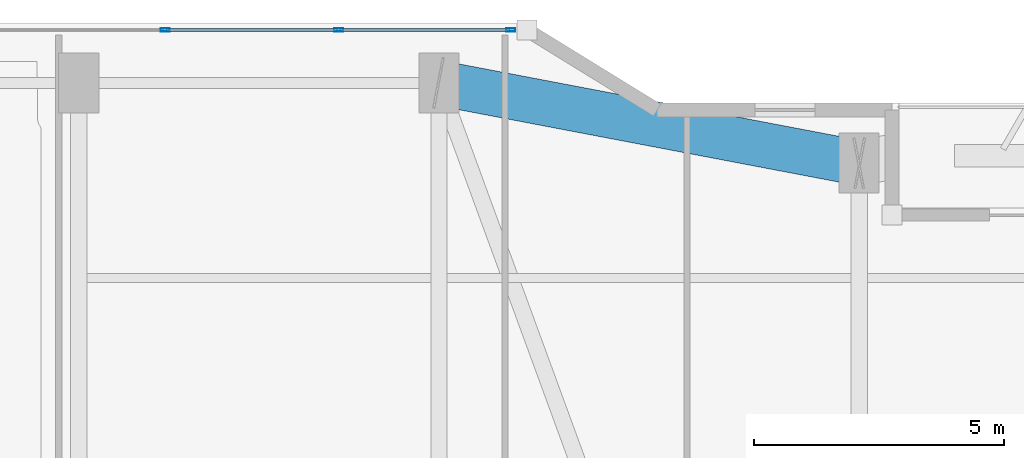
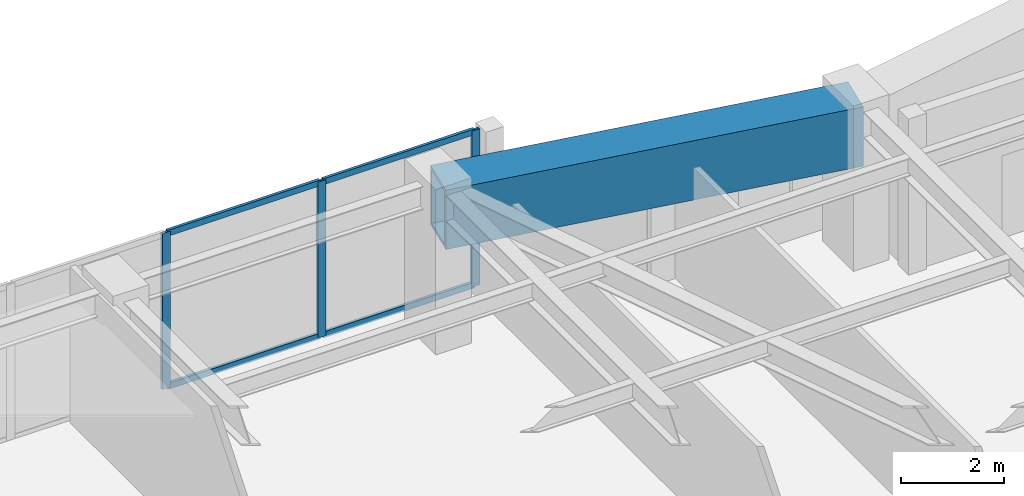
# One storey, part 19 of 30: 7 members, 1 beam, 1 element without a shape of its own.
"""IFC4 building model written with IfcOpenShell, lengths in metres."""

from ifc_helpers import new_model, si_unit, direction, frame, origin, origin_2d, place, context, subcontext, project, spatial, hollow_rectangle, extrude, material, layer, layer_set, material_profile, profile_set, type_object, element, aggregate, save


model = new_model("IFC4")

# Units and contexts
model_context = context("Model", 3, precision=1e-05, world=origin(), true_north=direction((0.0, 1.0)))
body_context = subcontext(model_context, "Body", "Model", "MODEL_VIEW")
ifc_project = project(units=[si_unit("LENGTHUNIT", "METRE"), si_unit("AREAUNIT", "SQUARE_METRE"), si_unit("VOLUMEUNIT", "CUBIC_METRE"), si_unit("PLANEANGLEUNIT", "RADIAN"), si_unit("MASSUNIT", "GRAM", prefix="KILO")], contexts=[model_context])

# Site, building, storey
site_placement = place(None, origin())
site = spatial("IfcSite", under=ifc_project, at=site_placement, CompositionType="ELEMENT")
building_placement = place(site_placement, origin())
building = spatial("IfcBuilding", under=site, at=building_placement, Name="Kiyonajd Concourse Tower", CompositionType="ELEMENT")
storey_placement = place(building_placement, frame((0.0, 0.0, 170.10009765625)))
storey = spatial("IfcBuildingStorey", under=building, at=storey_placement, Name="L43", CompositionType="ELEMENT", Elevation=170.10009765625)

# Beam
ifc_material_1 = material(Name="Steel ASTM A572 Grade 50", Category="steel")
ifc_material_profile_1 = material_profile(ifc_material_1, hollow_rectangle(XDim=0.89990234375, YDim=1.39990234375, WallThickness=0.070068359375, at=origin_2d()), Name="BOX-1400x900x70")
ifc_profile_set_1 = profile_set([ifc_material_profile_1], Name="Steel ASTM A572 Grade 50")
beam_type = type_object("IfcBeamType", Name="BM-XFER-1400", PredefinedType="BEAM", material=ifc_profile_set_1)
beam_placement = place(storey_placement, frame((48.0, 59.60009765625, 2.97998046875), z_axis=(-0.982341315253, 0.187097675953, 0.0), x_axis=(-0.187097675953, -0.982341315253, 0.0)))
element("IfcBeam", 1, at=beam_placement, inside=storey, type_object=beam_type, Name="L43 Perimeter Bundled Tube Spandrel", PredefinedType="BEAM", context=body_context, shape_type="SweptSolid", body=[
    extrude(hollow_rectangle(XDim=0.89990234375, YDim=1.39990234375, WallThickness=0.070068359375, at=origin_2d()), origin(), (0.0, 0.0, 1.0), 8.55078125),
])

# Curtain wall, members
ifc_material_2 = material(Name="Thermally Broken Anodised Aluminium", Category="aluminium")
ifc_layer = layer(ifc_material_2, 0.179931640625)
ifc_layer_set = layer_set([ifc_layer], Name="Thermally Broken Anodised Aluminium")
curtain_wall_type = type_object("IfcCurtainWallType", Name="CW-SYS-03", PredefinedType="NOTDEFINED", material=ifc_layer_set)
curtain_wall_placement = place(storey_placement, origin())
curtain_wall = element("IfcCurtainWall", 2, at=curtain_wall_placement, inside=storey, type_object=curtain_wall_type, Name="L43 Unitised Curtain Wall CW3", PredefinedType="NOTDEFINED")
ifc_material_profile_2 = material_profile(ifc_material_2, hollow_rectangle(XDim=0.06494140625, YDim=0.179931640625, WallThickness=0.00390625, at=origin_2d()), Name="MULL-65x180")
ifc_profile_set_2 = profile_set([ifc_material_profile_2], Name="Thermally Broken Anodised Aluminium")
member_type_1 = type_object("IfcMemberType", Name="MB-CW-MULL1", PredefinedType="MULLION", material=ifc_profile_set_2)
member_1_placement = place(storey_placement, frame((34.12548828125, 62.260009765625, 0.0), z_axis=(0.0, 0.0, 1.0), x_axis=(0.0, 1.0, 0.0)))
member_1 = element("IfcMember", 3, at=member_1_placement, type_object=member_type_1, Name="CW3 mullion 4", PredefinedType="MULLION", context=body_context, shape_type="SweptSolid", body=[
    extrude(hollow_rectangle(XDim=0.06494140625, YDim=0.179931640625, WallThickness=0.00390625, at=origin_2d()), origin(), (0.0, 0.0, 1.0), 3.679931640625),
])
member_2_placement = place(storey_placement, frame((37.597900390625, 62.260009765625, 0.0), z_axis=(0.0, 0.0, 1.0), x_axis=(0.0, 1.0, 0.0)))
member_2 = element("IfcMember", 4, at=member_2_placement, type_object=member_type_1, Name="CW3 mullion 5", PredefinedType="MULLION", context=body_context, shape_type="SweptSolid", body=[
    extrude(hollow_rectangle(XDim=0.06494140625, YDim=0.179931640625, WallThickness=0.00390625, at=origin_2d()), origin(), (0.0, 0.0, 1.0), 3.679931640625),
])
member_3_placement = place(storey_placement, frame((41.037841796875, 62.260009765625, 0.0), z_axis=(0.0, 0.0, 1.0), x_axis=(0.0, 1.0, 0.0)))
member_3 = element("IfcMember", 5, at=member_3_placement, type_object=member_type_1, Name="CW3 mullion 6", PredefinedType="MULLION", context=body_context, shape_type="SweptSolid", body=[
    extrude(hollow_rectangle(XDim=0.06494140625, YDim=0.179931640625, WallThickness=0.00390625, at=origin_2d()), origin(), (0.0, 0.0, 1.0), 3.679931640625),
])
ifc_material_profile_3 = material_profile(ifc_material_2, hollow_rectangle(XDim=0.06494140625, YDim=0.139892578125, WallThickness=0.00390625, at=origin_2d()), Name="TRAN-65x140")
ifc_profile_set_3 = profile_set([ifc_material_profile_3], Name="Thermally Broken Anodised Aluminium")
member_type_2 = type_object("IfcMemberType", Name="MB-CW-TRAN1", PredefinedType="USERDEFINED", material=ifc_profile_set_3)
member_4_placement = place(storey_placement, frame((34.158203125, 62.260009765625, 0.032470703125), z_axis=(1.0, 0.0, 0.0), x_axis=(0.0, 1.0, 0.0)))
member_4 = element("IfcMember", 6, at=member_4_placement, type_object=member_type_2, Name="CW3 transom 4.1", ObjectType="TRANSOM", PredefinedType="USERDEFINED", context=body_context, shape_type="SweptSolid", body=[
    extrude(hollow_rectangle(XDim=0.06494140625, YDim=0.139892578125, WallThickness=0.00390625, at=origin_2d()), origin(), (0.0, 0.0, 1.0), 3.4072265625),
])
member_5_placement = place(storey_placement, frame((34.158203125, 62.260009765625, 3.6474609375), z_axis=(1.0, 0.0, 0.0), x_axis=(0.0, 1.0, 0.0)))
member_5 = element("IfcMember", 7, at=member_5_placement, type_object=member_type_2, Name="CW3 transom 4.2", ObjectType="TRANSOM", PredefinedType="USERDEFINED", context=body_context, shape_type="SweptSolid", body=[
    extrude(hollow_rectangle(XDim=0.06494140625, YDim=0.139892578125, WallThickness=0.00390625, at=origin_2d()), origin(), (0.0, 0.0, 1.0), 3.4072265625),
])
member_6_placement = place(storey_placement, frame((37.630615234375, 62.260009765625, 0.032470703125), z_axis=(1.0, 0.0, 0.0), x_axis=(0.0, 1.0, 0.0)))
member_6 = element("IfcMember", 8, at=member_6_placement, type_object=member_type_2, Name="CW3 transom 5.1", ObjectType="TRANSOM", PredefinedType="USERDEFINED", context=body_context, shape_type="SweptSolid", body=[
    extrude(hollow_rectangle(XDim=0.06494140625, YDim=0.139892578125, WallThickness=0.00390625, at=origin_2d()), origin(), (0.0, 0.0, 1.0), 3.374755859375),
])
member_7_placement = place(storey_placement, frame((37.630615234375, 62.260009765625, 3.6474609375), z_axis=(1.0, 0.0, 0.0), x_axis=(0.0, 1.0, 0.0)))
member_7 = element("IfcMember", 9, at=member_7_placement, type_object=member_type_2, Name="CW3 transom 5.2", ObjectType="TRANSOM", PredefinedType="USERDEFINED", context=body_context, shape_type="SweptSolid", body=[
    extrude(hollow_rectangle(XDim=0.06494140625, YDim=0.139892578125, WallThickness=0.00390625, at=origin_2d()), origin(), (0.0, 0.0, 1.0), 3.374755859375),
])
aggregate(curtain_wall, [member_1, member_2, member_3, member_4, member_5, member_6, member_7])

save(model, "model.ifc")
